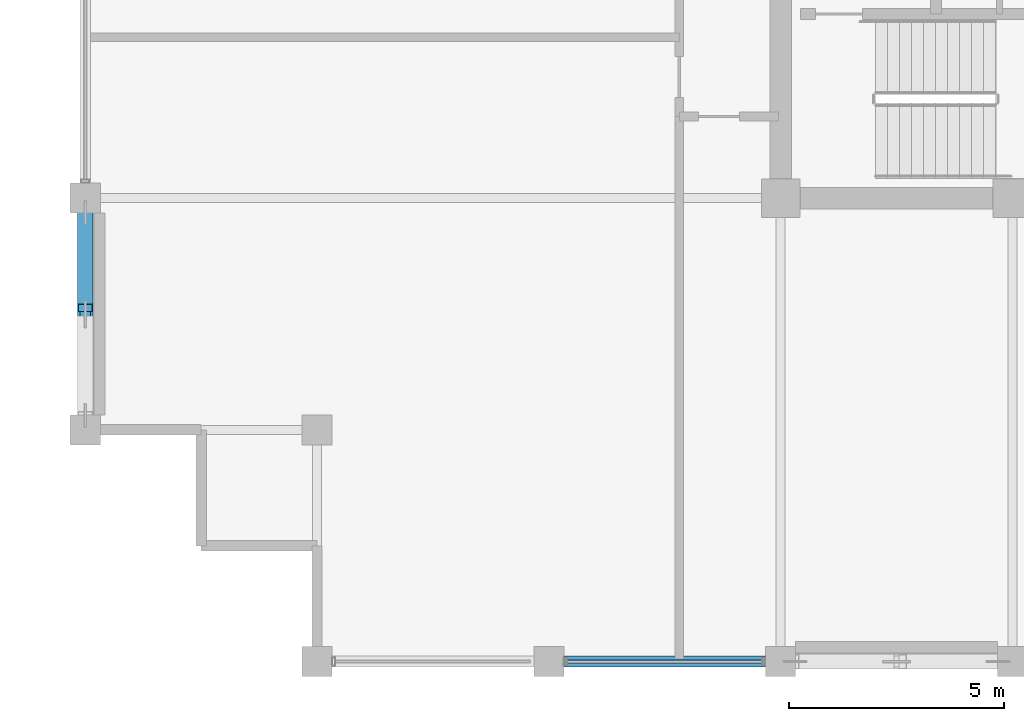
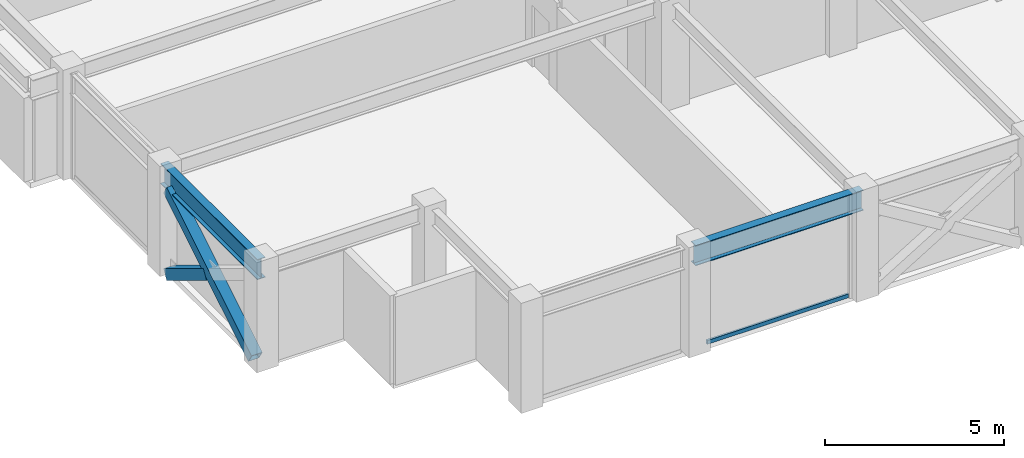
# One storey, part 3 of 30: 3 members, 2 beams, 1 element without a shape of its own.
"""IFC4 building model written with IfcOpenShell, lengths in metres."""

from ifc_helpers import new_model, si_unit, direction, frame, origin, origin_2d, place, context, subcontext, project, spatial, hollow_rectangle, i_section, extrude, material, layer, layer_set, material_profile, profile_set, type_object, element, aggregate, save


model = new_model("IFC4")

# Units and contexts
model_context = context("Model", 3, precision=1e-05, world=origin(), true_north=direction((0.0, 1.0)))
body_context = subcontext(model_context, "Body", "Model", "MODEL_VIEW")
ifc_project = project(units=[si_unit("LENGTHUNIT", "METRE"), si_unit("AREAUNIT", "SQUARE_METRE"), si_unit("VOLUMEUNIT", "CUBIC_METRE"), si_unit("PLANEANGLEUNIT", "RADIAN"), si_unit("MASSUNIT", "GRAM", prefix="KILO")], contexts=[model_context])

# Site, building, storey
site_placement = place(None, origin())
site = spatial("IfcSite", under=ifc_project, at=site_placement, CompositionType="ELEMENT")
building_placement = place(site_placement, origin())
building = spatial("IfcBuilding", under=site, at=building_placement, Name="Surkhivell Harbour Commons", CompositionType="ELEMENT")
storey_placement = place(building_placement, frame((0.0, 0.0, 307.5)))
storey = spatial("IfcBuildingStorey", under=building, at=storey_placement, Name="L80", CompositionType="ELEMENT", Elevation=307.5)

# Beams
ifc_material_1 = material(Name="Steel S355", Category="steel")
ifc_material_profile_1 = material_profile(ifc_material_1, i_section(OverallWidth=0.256103515625, OverallDepth=0.693115234375, WebThickness=0.014404296875, FlangeThickness=0.023681640625, at=origin_2d()), Name="UB686x254x170")
ifc_profile_set_1 = profile_set([ifc_material_profile_1], Name="Steel S355")
beam_type = type_object("IfcBeamType", Name="BM-SPN-686", PredefinedType="SPANDREL", material=ifc_profile_set_1)
for number, where, z_axis, x_axis, name in (
    (1, (-27.0, -16.199951171875, 3.223388671875), (0.0, 1.0, 0.0), (-1.0, 0.0, 0.0), "L80 Tube Spandrel (-27.0,-16.2)"),
    (2, (-16.199951171875, -21.60009765625, 3.223388671875), (1.0, 0.0, 0.0), (0.0, 1.0, 0.0), "L80 Tube Spandrel (-16.2,-21.6)"),
):
    element("IfcBeam", number, at=place(storey_placement, frame(where, z_axis=z_axis, x_axis=x_axis)), inside=storey, type_object=beam_type, Name=name, PredefinedType="SPANDREL", context=body_context, shape_type="SweptSolid", body=[
        extrude(i_section(OverallWidth=0.256103515625, OverallDepth=0.693115234375, WebThickness=0.014404296875, FlangeThickness=0.023681640625, at=origin_2d()), origin(), (0.0, 0.0, 1.0), 5.39990234375),
    ])

# Curtain wall, member
ifc_material_2 = material(Name="Anodised pale-metal aluminium and insulated glazing", Category="aluminium")
ifc_layer = layer(ifc_material_2, 0.175048828125)
ifc_layer_set = layer_set([ifc_layer], Name="Anodised pale-metal aluminium and insulated glazing")
curtain_wall_type = type_object("IfcCurtainWallType", Name="CW-SYS-Z4", PredefinedType="NOTDEFINED", material=ifc_layer_set)
curtain_wall_placement = place(storey_placement, origin())
curtain_wall = element("IfcCurtainWall", 3, at=curtain_wall_placement, inside=storey, type_object=curtain_wall_type, Name="L80 Curtain Wall CW-L80-E00S1", PredefinedType="NOTDEFINED")
ifc_material_3 = material(Name="Champagne anodised aluminium alloy 6063-T6", Category="aluminium")
ifc_material_profile_2 = material_profile(ifc_material_3, hollow_rectangle(XDim=0.070068359375, YDim=0.1298828125, WallThickness=0.00341796875, at=origin_2d()), Name="ALU-TRAN-70x130")
ifc_profile_set_2 = profile_set([ifc_material_profile_2], Name="Champagne anodised aluminium alloy 6063-T6")
member_type_1 = type_object("IfcMemberType", Name="CWT-130", PredefinedType="USERDEFINED", material=ifc_profile_set_2)
member_1_placement = place(storey_placement, frame((-15.77294921875, -21.60009765625, 0.06494140625), z_axis=(1.0, 0.0, 0.0), x_axis=(0.0, 1.0, 0.0)))
member_1 = element("IfcMember", 4, at=member_1_placement, type_object=member_type_1, Name="CW-Z4 transom 2.1", ObjectType="TRANSOM", PredefinedType="USERDEFINED", context=body_context, shape_type="SweptSolid", body=[
    extrude(hollow_rectangle(XDim=0.070068359375, YDim=0.1298828125, WallThickness=0.00341796875, at=origin_2d()), origin(), (0.0, 0.0, 1.0), 4.5458984375),
])
aggregate(curtain_wall, [member_1])

# Members
ifc_material_profile_3 = material_profile(ifc_material_1, hollow_rectangle(XDim=0.35009765625, YDim=0.35009765625, WallThickness=0.01611328125, at=origin_2d()), Name="SHS350x350x16")
ifc_profile_set_3 = profile_set([ifc_material_profile_3], Name="Steel S355")
member_type_2 = type_object("IfcMemberType", Name="MEM-BRC-SHS350", PredefinedType="BRACE", material=ifc_profile_set_3)
member_2_placement = place(storey_placement, frame((-27.0, -15.864990234375, 0.008056640625), z_axis=(0.0, 0.854685454322, 0.519146197299), x_axis=(-1.0, 0.0, 0.0)))
element("IfcMember", 5, at=member_2_placement, inside=storey, type_object=member_type_2, Name="L80 Perimeter Mega-Brace MB- 10", PredefinedType="BRACE", context=body_context, shape_type="SweptSolid", body=[
    extrude(hollow_rectangle(XDim=0.35009765625, YDim=0.35009765625, WallThickness=0.01611328125, at=origin_2d()), origin(), (0.0, 0.0, 1.0), 5.5341796875),
])
member_3_placement = place(storey_placement, frame((-27.0, -11.135009765625, 0.008056640625), z_axis=(0.0, -0.854678858595, 0.51915705588), x_axis=(1.0, 0.0, 0.0)))
element("IfcMember", 6, at=member_3_placement, inside=storey, type_object=member_type_2, Name="L80 Perimeter Mega-Brace MB- 11", PredefinedType="BRACE", context=body_context, shape_type="SweptSolid", body=[
    extrude(hollow_rectangle(XDim=0.35009765625, YDim=0.35009765625, WallThickness=0.01611328125, at=origin_2d()), origin(), (0.0, 0.0, 1.0), 2.59912109375),
])

save(model, "model.ifc")
